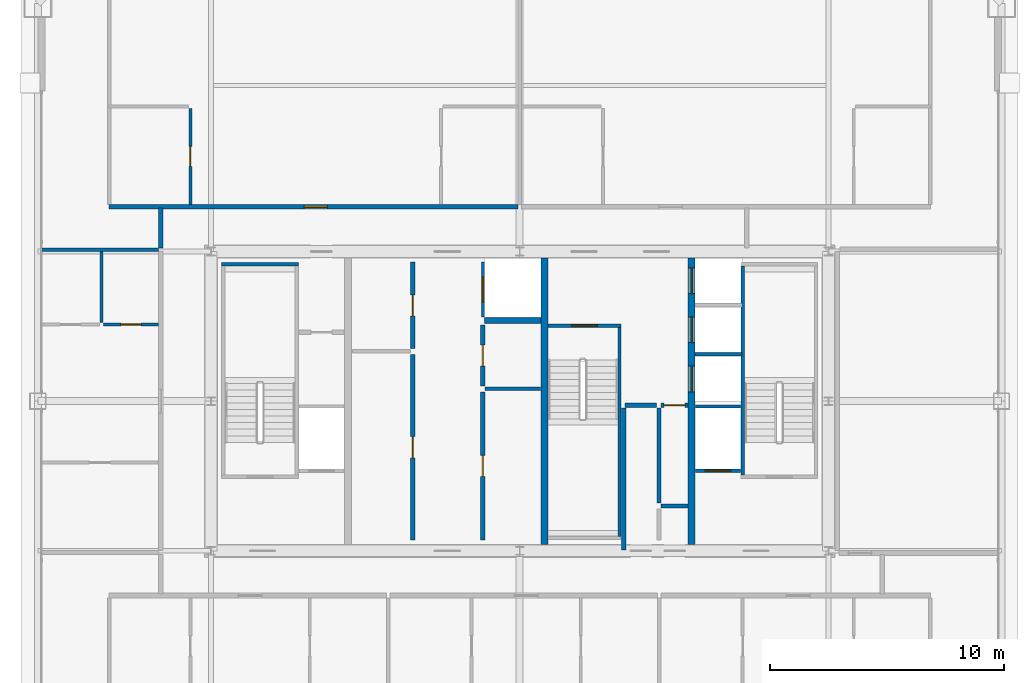
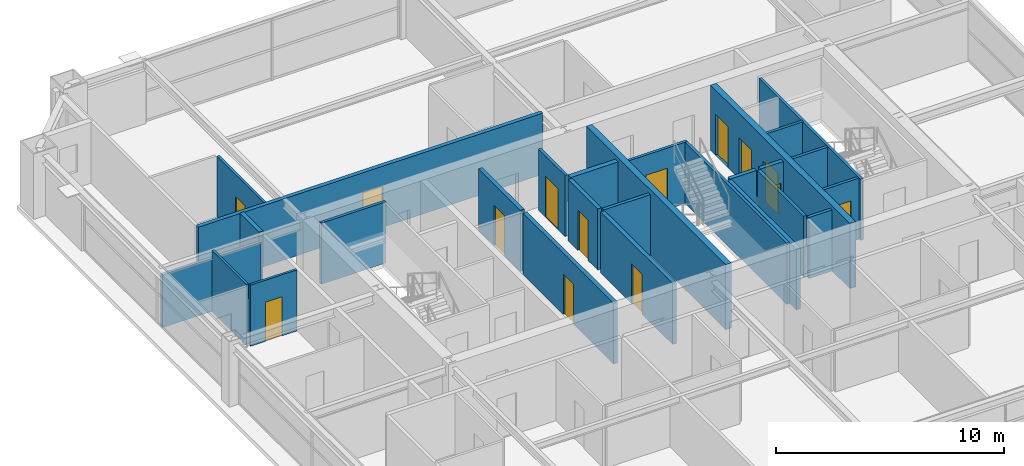
# One storey, part 34 of 37: 27 walls, 14 doors, 14 openings.
"""IFC4 building model written with IfcOpenShell, lengths in metres."""

from ifc_helpers import new_model, si_unit, direction, frame, frame_2d, origin, place, context, subcontext, project, spatial, rectangle, extrude, source, transform, mapped, material, layer, layer_set, type_object, element, fill, save


model = new_model("IFC4")

# Units and contexts
model_context = context("Model", 3, precision=1e-05, world=origin(), true_north=direction((0.0, 1.0)))
body_context = subcontext(model_context, "Body", "Model", "MODEL_VIEW")
ifc_project = project(units=[si_unit("LENGTHUNIT", "METRE"), si_unit("AREAUNIT", "SQUARE_METRE"), si_unit("VOLUMEUNIT", "CUBIC_METRE"), si_unit("PLANEANGLEUNIT", "RADIAN"), si_unit("MASSUNIT", "GRAM", prefix="KILO"), si_unit("THERMODYNAMICTEMPERATUREUNIT", "KELVIN"), si_unit("POWERUNIT", "WATT")], contexts=[model_context])

# Site, building, storey
site_placement = place(None, origin())
site = spatial("IfcSite", under=ifc_project, at=site_placement, CompositionType="ELEMENT")
building_placement = place(site_placement, origin())
building = spatial("IfcBuilding", under=site, at=building_placement, Name="Yuzanri Waterfront Tower", CompositionType="ELEMENT")
storey_placement = place(building_placement, frame((0.0, 0.0, 275.10009765625)))
storey = spatial("IfcBuildingStorey", under=building, at=storey_placement, Name="L73", CompositionType="ELEMENT", Elevation=275.10009765625)

# Wall, opening, door
ifc_material_1 = material(Name="Moisture-Resistant Gypsum Stud Wall", Category="gypsum")
ifc_layer_1 = layer(ifc_material_1, 0.1201171875)
ifc_layer_set_1 = layer_set([ifc_layer_1], Name="Moisture-Resistant Gypsum Stud Wall")
wall_type_1 = type_object("IfcWallType", Name="Bathroom and Kitchen Wet Partition 120", PredefinedType="PARTITIONING", material=ifc_layer_set_1)
wall_1_placement = place(storey_placement, frame((22.919921875, 34.2099609375, 0.0), z_axis=(0.0, 0.0, 1.0), x_axis=(0.0, 1.0, 0.0)))
wall_1 = element("IfcWall", 1, at=wall_1_placement, inside=storey, type_object=wall_type_1, Name="L73 Partition UW-L73-HN1-SUB-1-E", PredefinedType="PARTITIONING", context=body_context, shape_type="SweptSolid", body=[
    extrude(rectangle(XDim=4.110107421875, YDim=0.1201171875, at=frame_2d((2.05517578125, 0.0))), origin(), (0.0, 0.0, 1.0), 3.27978515625),
])
opening_1_placement = place(wall_1_placement, frame((1.6298828125, 0.0, 0.0)))
opening_1 = element("IfcOpeningElement", 2, at=opening_1_placement, cuts=wall_1, Name="Opening ID-0850", PredefinedType="OPENING", context=body_context, shape_type="SweptSolid", body=[
    extrude(rectangle(XDim=0.85009765625, YDim=2.10009765625, at=frame_2d((0.425048828125, 1.050048828125))), frame((0.0, 0.074951171875, 0.0), z_axis=(0.0, -1.0, 0.0), x_axis=(1.0, 0.0, 0.0)), (0.0, 0.0, 1.0), 0.14990234375),
])
ifc_material_2 = material(Name="Moisture-Resistant Lacquered Timber", Category="wood")
door_type_1 = type_object("IfcDoorType", Name="En-Suite Bathroom and Kitchen Swing Door 850x2100", OperationType="NOTDEFINED", PredefinedType="DOOR", material=ifc_material_2)
shared_shape_1 = source(origin(), body_context, "Body", "SweptSolid", [
    extrude(rectangle(XDim=0.85009765625, YDim=2.10009765625, at=frame_2d((0.425048828125, 1.050048828125))), frame((0.0, 0.02490234375, 0.0), z_axis=(0.0, -1.0, 0.0), x_axis=(1.0, 0.0, 0.0)), (0.0, 0.0, 1.0), 0.050048828125),
])
door_1_placement = place(opening_1_placement, origin())
door_1 = element("IfcDoor", 3, at=door_1_placement, inside=storey, type_object=door_type_1, Name="L73 Suite Interior Room Door", OperationType="SINGLE_SWING_LEFT", OverallHeight=2.10009765625, OverallWidth=0.85009765625, PredefinedType="DOOR", context=body_context, shape_type="MappedRepresentation", body=[
    mapped(shared_shape_1, transform((0.0, 0.0, 0.0), scale=1.0)),
])
fill(opening_1, door_1)

wall_2_placement = place(storey_placement, frame((19.195068359375, 29.080078125, 0.0), z_axis=(0.0, 0.0, 1.0), x_axis=(1.0, 0.0, 0.0)))
wall_2 = element("IfcWall", 4, at=wall_2_placement, inside=storey, type_object=wall_type_1, Name="L73 Partition UW-L73-HW1-SUB-2-S", PredefinedType="PARTITIONING", context=body_context, shape_type="SweptSolid", body=[
    extrude(rectangle(XDim=2.35498046875, YDim=0.1201171875, at=frame_2d((1.177490234375, 0.0))), origin(), (0.0, 0.0, 1.0), 3.27978515625),
])
opening_2_placement = place(wall_2_placement, frame((0.75244140625, 0.0, 0.0)))
opening_2 = element("IfcOpeningElement", 5, at=opening_2_placement, cuts=wall_2, Name="Opening ID-0850", PredefinedType="OPENING", context=body_context, shape_type="SweptSolid", body=[
    extrude(rectangle(XDim=0.85009765625, YDim=2.10009765625, at=frame_2d((0.425048828125, 1.050048828125))), frame((0.0, 0.074951171875, 0.0), z_axis=(0.0, -1.0, 0.0), x_axis=(1.0, 0.0, 0.0)), (0.0, 0.0, 1.0), 0.14990234375),
])
door_2_placement = place(opening_2_placement, origin())
door_2 = element("IfcDoor", 6, at=door_2_placement, inside=storey, type_object=door_type_1, Name="L73 Suite Interior Room Door", OperationType="SINGLE_SWING_RIGHT", OverallHeight=2.10009765625, OverallWidth=0.85009765625, PredefinedType="DOOR", context=body_context, shape_type="MappedRepresentation", body=[
    mapped(shared_shape_1, transform((0.0, 0.0, 0.0), scale=1.0)),
])
fill(opening_2, door_2)

# Wall, openings, doors
ifc_material_3 = material(Name="Concrete C50", Category="concrete")
ifc_layer_2 = layer(ifc_material_3, 0.300048828125)
ifc_layer_set_2 = layer_set([ifc_layer_2], Name="Concrete C50")
wall_type_2 = type_object("IfcWallType", Name="Concrete C50 Internal Core Shaft Structural Wall 300", PredefinedType="SOLIDWALL", material=ifc_layer_set_2)
wall_3_placement = place(storey_placement, frame((44.35009765625, 19.675048828125, 0.0), z_axis=(0.0, 0.0, 1.0), x_axis=(0.0, 1.0, 0.0)))
wall_3 = element("IfcWall", 7, at=wall_3_placement, inside=storey, type_object=wall_type_2, Name="L73 Core Internal Structural Web Wall 3", PredefinedType="SOLIDWALL", context=body_context, shape_type="SweptSolid", body=[
    extrude(rectangle(XDim=12.25, YDim=0.300048828125, at=frame_2d((6.125, 0.0))), origin(), (0.0, 0.0, 1.0), 3.5),
])
opening_3_placement = place(wall_3_placement, frame((6.52490234375, 0.0, 0.0)))
opening_3 = element("IfcOpeningElement", 8, at=opening_3_placement, cuts=wall_3, Name="Opening LD-PL-09", PredefinedType="OPENING", context=body_context, shape_type="SweptSolid", body=[
    extrude(rectangle(XDim=1.10009765625, YDim=2.199951171875, at=frame_2d((0.550048828125, 1.10009765625))), frame((0.0, 0.1650390625, 0.0), z_axis=(0.0, -1.0, 0.0), x_axis=(1.0, 0.0, 0.0)), (0.0, 0.0, 1.0), 0.329833984375),
])
opening_4_placement = place(wall_3_placement, frame((8.625, 0.0, 0.0)))
opening_4 = element("IfcOpeningElement", 9, at=opening_4_placement, cuts=wall_3, Name="Opening LD-PL-10", PredefinedType="OPENING", context=body_context, shape_type="SweptSolid", body=[
    extrude(rectangle(XDim=1.10009765625, YDim=2.199951171875, at=frame_2d((0.550048828125, 1.10009765625))), frame((0.0, 0.1650390625, 0.0), z_axis=(0.0, -1.0, 0.0), x_axis=(1.0, 0.0, 0.0)), (0.0, 0.0, 1.0), 0.329833984375),
])
opening_5_placement = place(wall_3_placement, frame((10.72509765625, 0.0, 0.0)))
opening_5 = element("IfcOpeningElement", 10, at=opening_5_placement, cuts=wall_3, Name="Opening LD-PL-11", PredefinedType="OPENING", context=body_context, shape_type="SweptSolid", body=[
    extrude(rectangle(XDim=1.10009765625, YDim=2.199951171875, at=frame_2d((0.550048828125, 1.10009765625))), frame((0.0, 0.1650390625, 0.0), z_axis=(0.0, -1.0, 0.0), x_axis=(1.0, 0.0, 0.0)), (0.0, 0.0, 1.0), 0.329833984375),
])
ifc_material_4 = material(Name="Brushed Bronze and Stainless Steel Cab", Category="steel")
door_type_2 = type_object("IfcDoorType", Name="Center-Parting Bronze Lift Landing Sliding Door 1100x2200", OperationType="NOTDEFINED", PredefinedType="DOOR", material=ifc_material_4)
shared_shape_2 = source(origin(), body_context, "Body", "SweptSolid", [
    extrude(rectangle(XDim=1.10009765625, YDim=2.199951171875, at=frame_2d((0.550048828125, 1.10009765625))), frame((0.0, 0.02490234375, 0.0), z_axis=(0.0, -1.0, 0.0), x_axis=(1.0, 0.0, 0.0)), (0.0, 0.0, 1.0), 0.050048828125),
])
door_3_placement = place(opening_3_placement, origin())
door_3 = element("IfcDoor", 11, at=door_3_placement, inside=storey, type_object=door_type_2, Name="L73 PL-09 Lift Landing Sliding Door", OperationType="SLIDING_TO_LEFT", OverallHeight=2.199951171875, OverallWidth=1.10009765625, PredefinedType="DOOR", context=body_context, shape_type="MappedRepresentation", body=[
    mapped(shared_shape_2, transform((0.0, 0.0, 0.0), scale=1.0)),
])
fill(opening_3, door_3)
door_4_placement = place(opening_4_placement, origin())
door_4 = element("IfcDoor", 12, at=door_4_placement, inside=storey, type_object=door_type_2, Name="L73 PL-10 Lift Landing Sliding Door", OperationType="SLIDING_TO_RIGHT", OverallHeight=2.199951171875, OverallWidth=1.10009765625, PredefinedType="DOOR", context=body_context, shape_type="MappedRepresentation", body=[
    mapped(shared_shape_2, transform((0.0, 0.0, 0.0), scale=1.0)),
])
fill(opening_4, door_4)
door_5_placement = place(opening_5_placement, origin())
door_5 = element("IfcDoor", 13, at=door_5_placement, inside=storey, type_object=door_type_2, Name="L73 PL-11 Lift Landing Sliding Door", OperationType="SLIDING_TO_LEFT", OverallHeight=2.199951171875, OverallWidth=1.10009765625, PredefinedType="DOOR", context=body_context, shape_type="MappedRepresentation", body=[
    mapped(shared_shape_2, transform((0.0, 0.0, 0.0), scale=1.0)),
])
fill(opening_5, door_5)

# Wall, opening, door
ifc_material_5 = material(Name="Concrete C40", Category="concrete")
ifc_layer_3 = layer(ifc_material_5, 0.139892578125)
ifc_layer_set_3 = layer_set([ifc_layer_3], Name="Concrete C40")
wall_type_3 = type_object("IfcWallType", Name="Core Stair Liner and Hoistway Shaft Wall 140", PredefinedType="SOLIDWALL", material=ifc_layer_set_3)
wall_4_placement = place(storey_placement, frame((44.52001953125, 22.830078125, 0.0), z_axis=(0.0, 0.0, 1.0), x_axis=(1.0, 0.0, 0.0)))
wall_4 = element("IfcWall", 14, at=wall_4_placement, inside=storey, type_object=wall_type_3, Name="L73 Lift FL-02 Front Shaft Wall", PredefinedType="SOLIDWALL", context=body_context, shape_type="SweptSolid", body=[
    extrude(rectangle(XDim=1.919921875, YDim=0.139892578125, at=frame_2d((0.9599609375, 0.0))), origin(), (0.0, 0.0, 1.0), 3.27978515625),
])
opening_6_placement = place(wall_4_placement, frame((0.409912109375, 0.0, 0.0)))
opening_6 = element("IfcOpeningElement", 15, at=opening_6_placement, cuts=wall_4, Name="Opening LD-FL-02", PredefinedType="OPENING", context=body_context, shape_type="SweptSolid", body=[
    extrude(rectangle(XDim=1.10009765625, YDim=2.199951171875, at=frame_2d((0.550048828125, 1.10009765625))), frame((0.0, 0.0849609375, 0.0), z_axis=(0.0, -1.0, 0.0), x_axis=(1.0, 0.0, 0.0)), (0.0, 0.0, 1.0), 0.169677734375),
])
door_6_placement = place(opening_6_placement, origin())
door_6 = element("IfcDoor", 16, at=door_6_placement, inside=storey, type_object=door_type_2, Name="L73 FL-02 Lift Landing Sliding Door", OperationType="SLIDING_TO_RIGHT", OverallHeight=2.199951171875, OverallWidth=1.10009765625, PredefinedType="DOOR", context=body_context, shape_type="MappedRepresentation", body=[
    mapped(shared_shape_2, transform((0.0, 0.0, 0.0), scale=1.0)),
])
fill(opening_6, door_6)

wall_5_placement = place(storey_placement, frame((35.429931640625, 29.39990234375, 0.0), z_axis=(0.0, 0.0, 1.0), x_axis=(0.0, 1.0, 0.0)))
wall_5 = element("IfcWall", 17, at=wall_5_placement, inside=storey, type_object=wall_type_3, Name="L73 Lift SL-02 Front Shaft Wall", PredefinedType="SOLIDWALL", context=body_context, shape_type="SweptSolid", body=[
    extrude(rectangle(XDim=2.340087890625, YDim=0.139892578125, at=frame_2d((1.169921875, 0.0))), origin(), (0.0, 0.0, 1.0), 3.27978515625),
])
opening_7_placement = place(wall_5_placement, frame((0.6201171875, 0.0, 0.0)))
opening_7 = element("IfcOpeningElement", 18, at=opening_7_placement, cuts=wall_5, Name="Opening LD-SL-02", PredefinedType="OPENING", context=body_context, shape_type="SweptSolid", body=[
    extrude(rectangle(XDim=1.10009765625, YDim=2.199951171875, at=frame_2d((0.550048828125, 1.10009765625))), frame((0.0, 0.0849609375, 0.0), z_axis=(0.0, -1.0, 0.0), x_axis=(1.0, 0.0, 0.0)), (0.0, 0.0, 1.0), 0.169677734375),
])
door_7_placement = place(opening_7_placement, origin())
door_7 = element("IfcDoor", 19, at=door_7_placement, inside=storey, type_object=door_type_2, Name="L73 SL-02 Lift Landing Sliding Door", OperationType="SLIDING_TO_RIGHT", OverallHeight=2.199951171875, OverallWidth=1.10009765625, PredefinedType="DOOR", context=body_context, shape_type="MappedRepresentation", body=[
    mapped(shared_shape_2, transform((0.0, 0.0, 0.0), scale=1.0)),
])
fill(opening_7, door_7)

wall_6_placement = place(storey_placement, frame((38.199951171875, 29.030029296875, 0.0), z_axis=(0.0, 0.0, 1.0), x_axis=(1.0, 0.0, 0.0)))
wall_6 = element("IfcWall", 20, at=wall_6_placement, inside=storey, type_object=wall_type_3, Name="L73 Shaft Wall STW-L73-ST-03-N", PredefinedType="SOLIDWALL", context=body_context, shape_type="SweptSolid", body=[
    extrude(rectangle(XDim=3.14013671875, YDim=0.139892578125, at=frame_2d((1.570068359375, 0.0))), origin(), (0.0, 0.0, 1.0), 3.27978515625),
])
opening_8_placement = place(wall_6_placement, frame((1.02001953125, 0.0, 0.0)))
opening_8 = element("IfcOpeningElement", 21, at=opening_8_placement, cuts=wall_6, Name="Opening FD-1100", PredefinedType="OPENING", context=body_context, shape_type="SweptSolid", body=[
    extrude(rectangle(XDim=1.10009765625, YDim=2.199951171875, at=frame_2d((0.550048828125, 1.10009765625))), frame((0.0, 0.0849609375, 0.0), z_axis=(0.0, -1.0, 0.0), x_axis=(1.0, 0.0, 0.0)), (0.0, 0.0, 1.0), 0.169677734375),
])
ifc_material_6 = material(Name="Painted Galvanized Fire Steel", Category="steel")
door_type_3 = type_object("IfcDoorType", Name="Smoke-Proof Stair and Lobby Fire Door 1100x2200", OperationType="NOTDEFINED", PredefinedType="DOOR", material=ifc_material_6)
shared_shape_3 = source(origin(), body_context, "Body", "SweptSolid", [
    extrude(rectangle(XDim=1.10009765625, YDim=2.199951171875, at=frame_2d((0.550048828125, 1.10009765625))), frame((0.0, 0.02490234375, 0.0), z_axis=(0.0, -1.0, 0.0), x_axis=(1.0, 0.0, 0.0)), (0.0, 0.0, 1.0), 0.050048828125),
])
door_8_placement = place(opening_8_placement, origin())
door_8 = element("IfcDoor", 22, at=door_8_placement, inside=storey, type_object=door_type_3, Name="L73 Stair ST-03 Fire Door", OperationType="SINGLE_SWING_LEFT", OverallHeight=2.199951171875, OverallWidth=1.10009765625, PredefinedType="DOOR", context=body_context, shape_type="MappedRepresentation", body=[
    mapped(shared_shape_3, transform((0.0, 0.0, 0.0), scale=1.0)),
])
fill(opening_8, door_8)

ifc_material_7 = material(Name="Autoclaved Aerated Concrete Blockwork", Category="masonry")
ifc_layer_4 = layer(ifc_material_7, 0.199951171875)
ifc_layer_set_4 = layer_set([ifc_layer_4], Name="Autoclaved Aerated Concrete Blockwork")
wall_type_4 = type_object("IfcWallType", Name="Corridor and Unit Party Fire Wall 200", PredefinedType="PARTITIONING", material=ifc_layer_set_4)
wall_7_placement = place(storey_placement, frame((32.419921875, 19.860107421875, 0.0), z_axis=(0.0, 0.0, 1.0), x_axis=(0.0, 1.0, 0.0)))
wall_7 = element("IfcWall", 23, at=wall_7_placement, inside=storey, type_object=wall_type_4, Name="L73 Partition CRW-L73-B1R-1", PredefinedType="PARTITIONING", context=body_context, shape_type="SweptSolid", body=[
    extrude(rectangle(XDim=7.93994140625, YDim=0.199951171875, at=frame_2d((3.969970703125, 0.0))), origin(), (0.0, 0.0, 1.0), 3.27978515625),
])
opening_9_placement = place(wall_7_placement, frame((3.52001953125, 0.0, 0.0)))
opening_9 = element("IfcOpeningElement", 24, at=opening_9_placement, cuts=wall_7, Name="Opening FD-0900", PredefinedType="OPENING", context=body_context, shape_type="SweptSolid", body=[
    extrude(rectangle(XDim=0.89990234375, YDim=2.14990234375, at=frame_2d((0.449951171875, 1.074951171875))), frame((0.0, 0.11474609375, 0.0), z_axis=(0.0, -1.0, 0.0), x_axis=(1.0, 0.0, 0.0)), (0.0, 0.0, 1.0), 0.229736328125),
])
ifc_material_8 = material(Name="Painted Galvanized Fire Steel", Category="steel")
door_type_4 = type_object("IfcDoorType", Name="Riser and Service Room Fire Door 900x2150", OperationType="NOTDEFINED", PredefinedType="DOOR", material=ifc_material_8)
shared_shape_4 = source(origin(), body_context, "Body", "SweptSolid", [
    extrude(rectangle(XDim=0.89990234375, YDim=2.14990234375, at=frame_2d((0.449951171875, 1.074951171875))), frame((0.0, 0.02490234375, 0.0), z_axis=(0.0, -1.0, 0.0), x_axis=(1.0, 0.0, 0.0)), (0.0, 0.0, 1.0), 0.050048828125),
])
door_9_placement = place(opening_9_placement, origin())
door_9 = element("IfcDoor", 25, at=door_9_placement, inside=storey, type_object=door_type_4, Name="L73 General Store Room", OperationType="SINGLE_SWING_RIGHT", OverallHeight=2.14990234375, OverallWidth=0.89990234375, PredefinedType="DOOR", context=body_context, shape_type="MappedRepresentation", body=[
    mapped(shared_shape_4, transform((0.0, 0.0, 0.0), scale=1.0)),
])
fill(opening_9, door_9)

wall_8_placement = place(storey_placement, frame((32.419921875, 28.050048828125, 0.0), z_axis=(0.0, 0.0, 1.0), x_axis=(0.0, 1.0, 0.0)))
wall_8 = element("IfcWall", 26, at=wall_8_placement, inside=storey, type_object=wall_type_4, Name="L73 Partition CRW-L73-B1R-2", PredefinedType="PARTITIONING", context=body_context, shape_type="SweptSolid", body=[
    extrude(rectangle(XDim=3.68994140625, YDim=0.199951171875, at=frame_2d((1.844970703125, 0.0))), origin(), (0.0, 0.0, 1.0), 3.27978515625),
])
opening_10_placement = place(wall_8_placement, frame((1.39501953125, 0.0, 0.0)))
opening_10 = element("IfcOpeningElement", 27, at=opening_10_placement, cuts=wall_8, Name="Opening FD-0900", PredefinedType="OPENING", context=body_context, shape_type="SweptSolid", body=[
    extrude(rectangle(XDim=0.89990234375, YDim=2.14990234375, at=frame_2d((0.449951171875, 1.074951171875))), frame((0.0, 0.11474609375, 0.0), z_axis=(0.0, -1.0, 0.0), x_axis=(1.0, 0.0, 0.0)), (0.0, 0.0, 1.0), 0.229736328125),
])
door_10_placement = place(opening_10_placement, origin())
door_10 = element("IfcDoor", 28, at=door_10_placement, inside=storey, type_object=door_type_4, Name="L73 Water Riser Shaft", OperationType="SINGLE_SWING_LEFT", OverallHeight=2.14990234375, OverallWidth=0.89990234375, PredefinedType="DOOR", context=body_context, shape_type="MappedRepresentation", body=[
    mapped(shared_shape_4, transform((0.0, 0.0, 0.0), scale=1.0)),
])
fill(opening_10, door_10)

wall_9_placement = place(storey_placement, frame((35.419921875, 19.860107421875, 0.0), z_axis=(0.0, 0.0, 1.0), x_axis=(0.0, 1.0, 0.0)))
wall_9 = element("IfcWall", 29, at=wall_9_placement, inside=storey, type_object=wall_type_4, Name="L73 Partition CRW-L73-B2R-1", PredefinedType="PARTITIONING", context=body_context, shape_type="SweptSolid", body=[
    extrude(rectangle(XDim=6.33984375, YDim=0.199951171875, at=frame_2d((3.169921875, 0.0))), origin(), (0.0, 0.0, 1.0), 3.27978515625),
])
opening_11_placement = place(wall_9_placement, frame((2.719970703125, 0.0, 0.0)))
opening_11 = element("IfcOpeningElement", 30, at=opening_11_placement, cuts=wall_9, Name="Opening FD-0900", PredefinedType="OPENING", context=body_context, shape_type="SweptSolid", body=[
    extrude(rectangle(XDim=0.89990234375, YDim=2.14990234375, at=frame_2d((0.449951171875, 1.074951171875))), frame((0.0, 0.11474609375, 0.0), z_axis=(0.0, -1.0, 0.0), x_axis=(1.0, 0.0, 0.0)), (0.0, 0.0, 1.0), 0.229736328125),
])
door_11_placement = place(opening_11_placement, origin())
door_11 = element("IfcDoor", 31, at=door_11_placement, inside=storey, type_object=door_type_4, Name="L73 Upper Service Store Room", OperationType="SINGLE_SWING_RIGHT", OverallHeight=2.14990234375, OverallWidth=0.89990234375, PredefinedType="DOOR", context=body_context, shape_type="MappedRepresentation", body=[
    mapped(shared_shape_4, transform((0.0, 0.0, 0.0), scale=1.0)),
])
fill(opening_11, door_11)

wall_10_placement = place(storey_placement, frame((35.419921875, 26.449951171875, 0.0), z_axis=(0.0, 0.0, 1.0), x_axis=(0.0, 1.0, 0.0)))
wall_10 = element("IfcWall", 32, at=wall_10_placement, inside=storey, type_object=wall_type_4, Name="L73 Partition CRW-L73-B2R-2", PredefinedType="PARTITIONING", context=body_context, shape_type="SweptSolid", body=[
    extrude(rectangle(XDim=2.60009765625, YDim=0.199951171875, at=frame_2d((1.300048828125, 0.0))), origin(), (0.0, 0.0, 1.0), 3.27978515625),
])
opening_12_placement = place(wall_10_placement, frame((0.85009765625, 0.0, 0.0)))
opening_12 = element("IfcOpeningElement", 33, at=opening_12_placement, cuts=wall_10, Name="Opening FD-0900", PredefinedType="OPENING", context=body_context, shape_type="SweptSolid", body=[
    extrude(rectangle(XDim=0.89990234375, YDim=2.14990234375, at=frame_2d((0.449951171875, 1.074951171875))), frame((0.0, 0.11474609375, 0.0), z_axis=(0.0, -1.0, 0.0), x_axis=(1.0, 0.0, 0.0)), (0.0, 0.0, 1.0), 0.229736328125),
])
door_12_placement = place(opening_12_placement, origin())
door_12 = element("IfcDoor", 34, at=door_12_placement, inside=storey, type_object=door_type_4, Name="L73 Meter and Valve Store Room", OperationType="SINGLE_SWING_LEFT", OverallHeight=2.14990234375, OverallWidth=0.89990234375, PredefinedType="DOOR", context=body_context, shape_type="MappedRepresentation", body=[
    mapped(shared_shape_4, transform((0.0, 0.0, 0.0), scale=1.0)),
])
fill(opening_12, door_12)

wall_11_placement = place(storey_placement, frame((43.050048828125, 25.6201171875, 0.0), z_axis=(0.0, 0.0, 1.0), x_axis=(1.0, 0.0, 0.0)))
wall_11 = element("IfcWall", 35, at=wall_11_placement, inside=storey, type_object=wall_type_4, Name="L73 Partition CRW-L73-BOHH-2", PredefinedType="PARTITIONING", context=body_context, shape_type="SweptSolid", body=[
    extrude(rectangle(XDim=1.14990234375, YDim=0.199951171875, at=frame_2d((0.574951171875, 0.0))), origin(), (0.0, 0.0, 1.0), 3.27978515625),
])
opening_13_placement = place(wall_11_placement, frame((0.1201171875, 0.0, 0.0)))
opening_13 = element("IfcOpeningElement", 36, at=opening_13_placement, cuts=wall_11, Name="Opening FD-0900", PredefinedType="OPENING", context=body_context, shape_type="SweptSolid", body=[
    extrude(rectangle(XDim=0.89990234375, YDim=2.14990234375, at=frame_2d((0.449951171875, 1.074951171875))), frame((0.0, 0.11474609375, 0.0), z_axis=(0.0, -1.0, 0.0), x_axis=(1.0, 0.0, 0.0)), (0.0, 0.0, 1.0), 0.229736328125),
])
door_13_placement = place(opening_13_placement, origin())
door_13 = element("IfcDoor", 37, at=door_13_placement, inside=storey, type_object=door_type_4, Name="L73 Linen Store Room", OperationType="SINGLE_SWING_RIGHT", OverallHeight=2.14990234375, OverallWidth=0.89990234375, PredefinedType="DOOR", context=body_context, shape_type="MappedRepresentation", body=[
    mapped(shared_shape_4, transform((0.0, 0.0, 0.0), scale=1.0)),
])
fill(opening_13, door_13)

wall_12_placement = place(storey_placement, frame((19.43994140625, 34.110107421875, 0.0), z_axis=(0.0, 0.0, 1.0), x_axis=(1.0, 0.0, 0.0)))
wall_12 = element("IfcWall", 38, at=wall_12_placement, inside=storey, type_object=wall_type_4, Name="L73 Partition UW-L73-HN1-CS", PredefinedType="PARTITIONING", context=body_context, shape_type="SweptSolid", body=[
    extrude(rectangle(XDim=17.47998046875, YDim=0.199951171875, at=frame_2d((8.739990234375, 0.0))), origin(), (0.0, 0.0, 1.0), 3.27978515625),
])
opening_14_placement = place(wall_12_placement, frame((8.340087890625, 0.0, 0.0)))
opening_14 = element("IfcOpeningElement", 39, at=opening_14_placement, cuts=wall_12, Name="Opening FD-1000", PredefinedType="OPENING", context=body_context, shape_type="SweptSolid", body=[
    extrude(rectangle(XDim=1.0, YDim=2.199951171875, at=frame_2d((0.5, 1.10009765625))), frame((0.0, 0.11474609375, 0.0), z_axis=(0.0, -1.0, 0.0), x_axis=(1.0, 0.0, 0.0)), (0.0, 0.0, 1.0), 0.229736328125),
])
ifc_material_9 = material(Name="Engineered Oak Fire-Rated Timber", Category="wood")
door_type_5 = type_object("IfcDoorType", Name="Guestroom and Apartment Entrance Fire Door 1000x2200", OperationType="NOTDEFINED", PredefinedType="DOOR", material=ifc_material_9)
shared_shape_5 = source(origin(), body_context, "Body", "SweptSolid", [
    extrude(rectangle(XDim=1.0, YDim=2.199951171875, at=frame_2d((0.5, 1.10009765625))), frame((0.0, 0.02490234375, 0.0), z_axis=(0.0, -1.0, 0.0), x_axis=(1.0, 0.0, 0.0)), (0.0, 0.0, 1.0), 0.050048828125),
])
door_14_placement = place(opening_14_placement, origin())
door_14 = element("IfcDoor", 40, at=door_14_placement, inside=storey, type_object=door_type_5, Name="L73 Studio Living and Sleeping Room Entrance Door", OperationType="SINGLE_SWING_RIGHT", OverallHeight=2.199951171875, OverallWidth=1.0, PredefinedType="DOOR", context=body_context, shape_type="MappedRepresentation", body=[
    mapped(shared_shape_5, transform((0.0, 0.0, 0.0), scale=1.0)),
])
fill(opening_14, door_14)

# Walls
shared_shape_6 = source(origin(), body_context, "Body", "SweptSolid", [
    extrude(rectangle(XDim=12.25, YDim=0.300048828125, at=frame_2d((6.125, 0.0))), origin(), (0.0, 0.0, 1.0), 3.5),
])
wall_13_placement = place(storey_placement, frame((38.050048828125, 19.675048828125, 0.0), z_axis=(0.0, 0.0, 1.0), x_axis=(0.0, 1.0, 0.0)))
element("IfcWall", 41, at=wall_13_placement, inside=storey, type_object=wall_type_2, Name="L73 Core Internal Structural Web Wall 2", PredefinedType="SOLIDWALL", context=body_context, shape_type="MappedRepresentation", body=[
    mapped(shared_shape_6, transform((0.0, 0.0, 0.0), scale=1.0)),
])
shared_shape_7 = source(origin(), body_context, "Body", "SweptSolid", [
    extrude(rectangle(XDim=1.919921875, YDim=0.139892578125, at=frame_2d((0.9599609375, 0.0))), origin(), (0.0, 0.0, 1.0), 3.27978515625),
])
wall_14_placement = place(storey_placement, frame((44.52001953125, 25.570068359375, 0.0), z_axis=(0.0, 0.0, 1.0), x_axis=(1.0, 0.0, 0.0)))
element("IfcWall", 42, at=wall_14_placement, inside=storey, type_object=wall_type_3, Name="L73 Lift FL-02 Back Shaft Wall", PredefinedType="SOLIDWALL", context=body_context, shape_type="MappedRepresentation", body=[
    mapped(shared_shape_7, transform((0.0, 0.0, 0.0), scale=1.0)),
])
ifc_material_10 = material(Name="Concrete C40", Category="concrete")
ifc_layer_5 = layer(ifc_material_10, 0.25)
ifc_layer_set_5 = layer_set([ifc_layer_5], Name="Concrete C40")
wall_type_5 = type_object("IfcWallType", Name="Smoke-Proof Stair and Lift Shaft Wall 250", PredefinedType="SOLIDWALL", material=ifc_layer_set_5)
shared_shape_8 = source(origin(), body_context, "Body", "SweptSolid", [
    extrude(rectangle(XDim=2.39990234375, YDim=0.25, at=frame_2d((1.199951171875, 0.0))), origin(), (0.0, 0.0, 1.0), 3.27978515625),
])
wall_15_placement = place(storey_placement, frame((35.5, 29.25, 0.0), z_axis=(0.0, 0.0, 1.0), x_axis=(1.0, 0.0, 0.0)))
element("IfcWall", 43, at=wall_15_placement, inside=storey, type_object=wall_type_5, Name="L73 Lift SL-02 South Shaft Wall", PredefinedType="SOLIDWALL", context=body_context, shape_type="MappedRepresentation", body=[
    mapped(shared_shape_8, transform((0.0, 0.0, 0.0), scale=1.0)),
])
shared_shape_9 = source(origin(), body_context, "Body", "SweptSolid", [
    extrude(rectangle(XDim=2.0, YDim=0.139892578125, at=frame_2d((1.0, 0.0))), origin(), (0.0, 0.0, 1.0), 3.27978515625),
])
wall_16_placement = place(storey_placement, frame((44.5, 27.800048828125, 0.0), z_axis=(0.0, 0.0, 1.0), x_axis=(1.0, 0.0, 0.0)))
element("IfcWall", 44, at=wall_16_placement, inside=storey, type_object=wall_type_3, Name="L73 Lift PL-09 Divider Wall", PredefinedType="SOLIDWALL", context=body_context, shape_type="MappedRepresentation", body=[
    mapped(shared_shape_9, transform((0.0, 0.0, 0.0), scale=1.0)),
])
shared_shape_10 = source(origin(), body_context, "Body", "SweptSolid", [
    extrude(rectangle(XDim=3.280029296875, YDim=0.139892578125, at=frame_2d((1.64013671875, 0.0))), origin(), (0.0, 0.0, 1.0), 3.27978515625),
])
wall_17_placement = place(storey_placement, frame((24.260009765625, 31.64990234375, 0.0), z_axis=(0.0, 0.0, 1.0), x_axis=(1.0, 0.0, 0.0)))
element("IfcWall", 45, at=wall_17_placement, inside=storey, type_object=wall_type_3, Name="L73 Stair ST-01 North Shaft Wall", PredefinedType="SOLIDWALL", context=body_context, shape_type="MappedRepresentation", body=[
    mapped(shared_shape_10, transform((0.0, 0.0, 0.0), scale=1.0)),
])
shared_shape_11 = source(origin(), body_context, "Body", "SweptSolid", [
    extrude(rectangle(XDim=8.940185546875, YDim=0.139892578125, at=frame_2d((4.47021484375, 0.0))), origin(), (0.0, 0.0, 1.0), 3.27978515625),
])
wall_18_placement = place(storey_placement, frame((46.530029296875, 22.639892578125, 0.0), z_axis=(0.0, 0.0, 1.0), x_axis=(0.0, 1.0, 0.0)))
element("IfcWall", 46, at=wall_18_placement, inside=storey, type_object=wall_type_3, Name="L73 Stair ST-02 West Shaft Wall", PredefinedType="SOLIDWALL", context=body_context, shape_type="MappedRepresentation", body=[
    mapped(shared_shape_11, transform((0.0, 0.0, 0.0), scale=1.0)),
])
shared_shape_12 = source(origin(), body_context, "Body", "SweptSolid", [
    extrude(rectangle(XDim=8.93994140625, YDim=0.139892578125, at=frame_2d((4.469970703125, 0.0))), origin(), (0.0, 0.0, 1.0), 3.27978515625),
])
wall_19_placement = place(storey_placement, frame((41.27001953125, 20.02001953125, 0.0), z_axis=(0.0, 0.0, 1.0), x_axis=(0.0, 1.0, 0.0)))
element("IfcWall", 47, at=wall_19_placement, inside=storey, type_object=wall_type_3, Name="L73 Stair ST-03 East Shaft Wall", PredefinedType="SOLIDWALL", context=body_context, shape_type="MappedRepresentation", body=[
    mapped(shared_shape_12, transform((0.0, 0.0, 0.0), scale=1.0)),
])
ifc_material_11 = material(Name="Gypsum Fireboard Acoustic Stud Wall", Category="gypsum")
ifc_layer_6 = layer(ifc_material_11, 0.159912109375)
ifc_layer_set_6 = layer_set([ifc_layer_6], Name="Gypsum Fireboard Acoustic Stud Wall")
wall_type_6 = type_object("IfcWallType", Name="Acoustic Suite Demising Partition 160", PredefinedType="PARTITIONING", material=ifc_layer_set_6)
shared_shape_13 = source(origin(), body_context, "Body", "SweptSolid", [
    extrude(rectangle(XDim=1.169921875, YDim=0.159912109375, at=frame_2d((0.5849609375, 0.0))), origin(), (0.0, 0.0, 1.0), 3.27978515625),
])
wall_20_placement = place(storey_placement, frame((43.030029296875, 21.320068359375, 0.0), z_axis=(0.0, 0.0, 1.0), x_axis=(1.0, 0.0, 0.0)))
element("IfcWall", 48, at=wall_20_placement, inside=storey, type_object=wall_type_6, Name="L73 East Wet Riser North Wall", PredefinedType="PARTITIONING", context=body_context, shape_type="MappedRepresentation", body=[
    mapped(shared_shape_13, transform((0.0, 0.0, 0.0), scale=1.0)),
])
shared_shape_14 = source(origin(), body_context, "Body", "SweptSolid", [
    extrude(rectangle(XDim=2.35986328125, YDim=0.159912109375, at=frame_2d((1.179931640625, 0.0))), origin(), (0.0, 0.0, 1.0), 3.27978515625),
])
wall_21_placement = place(storey_placement, frame((35.52001953125, 26.330078125, 0.0), z_axis=(0.0, 0.0, 1.0), x_axis=(1.0, 0.0, 0.0)))
element("IfcWall", 49, at=wall_21_placement, inside=storey, type_object=wall_type_6, Name="L73 Reclaimed High-Zone Divider 2", PredefinedType="PARTITIONING", context=body_context, shape_type="MappedRepresentation", body=[
    mapped(shared_shape_14, transform((0.0, 0.0, 0.0), scale=1.0)),
])
shared_shape_15 = source(origin(), body_context, "Body", "SweptSolid", [
    extrude(rectangle(XDim=6.06005859375, YDim=0.199951171875, at=frame_2d((3.030029296875, 0.0))), origin(), (0.0, 0.0, 1.0), 3.27978515625),
])
wall_22_placement = place(storey_placement, frame((41.449951171875, 19.43994140625, 0.0), z_axis=(0.0, 0.0, 1.0), x_axis=(0.0, 1.0, 0.0)))
element("IfcWall", 50, at=wall_22_placement, inside=storey, type_object=wall_type_4, Name="L73 Core BOH West Wall 1", PredefinedType="PARTITIONING", context=body_context, shape_type="MappedRepresentation", body=[
    mapped(shared_shape_15, transform((0.0, 0.0, 0.0), scale=1.0)),
])
shared_shape_16 = source(origin(), body_context, "Body", "SweptSolid", [
    extrude(rectangle(XDim=1.35009765625, YDim=0.199951171875, at=frame_2d((0.675048828125, 0.0))), origin(), (0.0, 0.0, 1.0), 3.27978515625),
])
wall_23_placement = place(storey_placement, frame((41.5, 25.6201171875, 0.0), z_axis=(0.0, 0.0, 1.0), x_axis=(1.0, 0.0, 0.0)))
element("IfcWall", 51, at=wall_23_placement, inside=storey, type_object=wall_type_4, Name="L73 Core BOH Split Wall 1", PredefinedType="PARTITIONING", context=body_context, shape_type="MappedRepresentation", body=[
    mapped(shared_shape_16, transform((0.0, 0.0, 0.0), scale=1.0)),
])
shared_shape_17 = source(origin(), body_context, "Body", "SweptSolid", [
    extrude(rectangle(XDim=4.06005859375, YDim=0.159912109375, at=frame_2d((2.030029296875, 0.0))), origin(), (0.0, 0.0, 1.0), 3.27978515625),
])
wall_24_placement = place(storey_placement, frame((42.949951171875, 21.43994140625, 0.0), z_axis=(0.0, 0.0, 1.0), x_axis=(0.0, 1.0, 0.0)))
element("IfcWall", 52, at=wall_24_placement, inside=storey, type_object=wall_type_6, Name="L73 Core BOH Mid Wall 2", PredefinedType="PARTITIONING", context=body_context, shape_type="MappedRepresentation", body=[
    mapped(shared_shape_17, transform((0.0, 0.0, 0.0), scale=1.0)),
])
shared_shape_18 = source(origin(), body_context, "Body", "SweptSolid", [
    extrude(rectangle(XDim=1.699951171875, YDim=0.199951171875, at=frame_2d((0.85009765625, 0.0))), origin(), (0.0, 0.0, 1.0), 3.27978515625),
])
wall_25_placement = place(storey_placement, frame((21.64990234375, 32.35009765625, 0.0), z_axis=(0.0, 0.0, 1.0), x_axis=(0.0, 1.0, 0.0)))
element("IfcWall", 53, at=wall_25_placement, inside=storey, type_object=wall_type_4, Name="L73 North Foyer West End Wall", PredefinedType="PARTITIONING", context=body_context, shape_type="MappedRepresentation", body=[
    mapped(shared_shape_18, transform((0.0, 0.0, 0.0), scale=1.0)),
])
shared_shape_19 = source(origin(), body_context, "Body", "SweptSolid", [
    extrude(rectangle(XDim=5.0, YDim=0.159912109375, at=frame_2d((2.5, 0.0))), origin(), (0.0, 0.0, 1.0), 2.824951171875),
])
wall_26_placement = place(storey_placement, frame((16.550048828125, 32.27001953125, 0.0), z_axis=(0.0, 0.0, 1.0), x_axis=(1.0, 0.0, 0.0)))
element("IfcWall", 54, at=wall_26_placement, inside=storey, type_object=wall_type_6, Name="L73-HW1 Wing North End Wall", PredefinedType="PARTITIONING", context=body_context, shape_type="MappedRepresentation", body=[
    mapped(shared_shape_19, transform((0.0, 0.0, 0.0), scale=1.0)),
])
shared_shape_20 = source(origin(), body_context, "Body", "SweptSolid", [
    extrude(rectangle(XDim=3.030029296875, YDim=0.1201171875, at=frame_2d((1.51513671875, 0.0))), origin(), (0.0, 0.0, 1.0), 3.27978515625),
])
wall_27_placement = place(storey_placement, frame((19.114990234375, 29.159912109375, 0.0), z_axis=(0.0, 0.0, 1.0), x_axis=(0.0, 1.0, 0.0)))
element("IfcWall", 55, at=wall_27_placement, inside=storey, type_object=wall_type_1, Name="L73 Partition UW-L73-HW1-SUB-1-E", PredefinedType="PARTITIONING", context=body_context, shape_type="MappedRepresentation", body=[
    mapped(shared_shape_20, transform((0.0, 0.0, 0.0), scale=1.0)),
])

save(model, "model.ifc")
